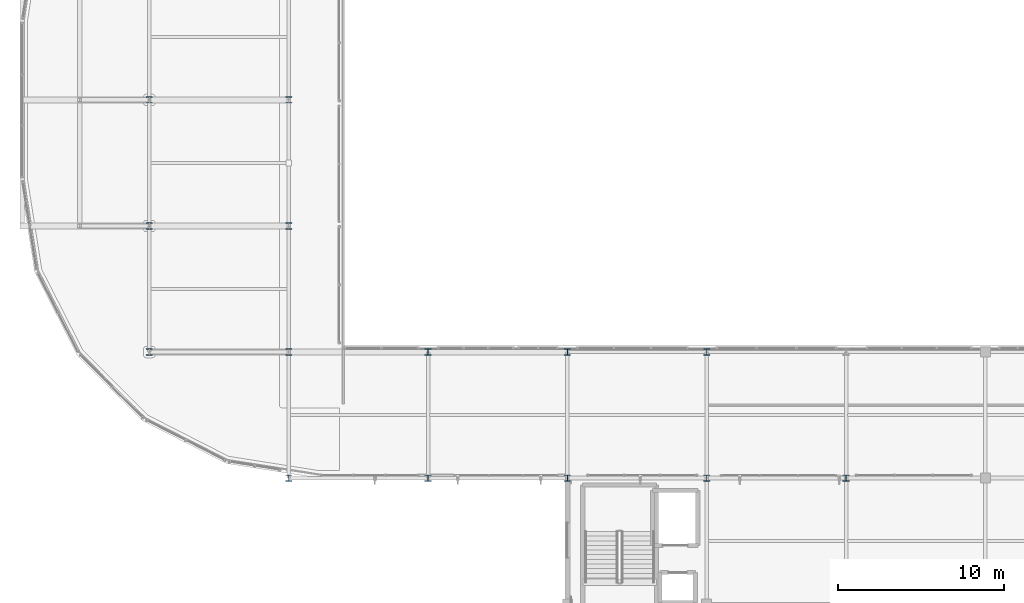
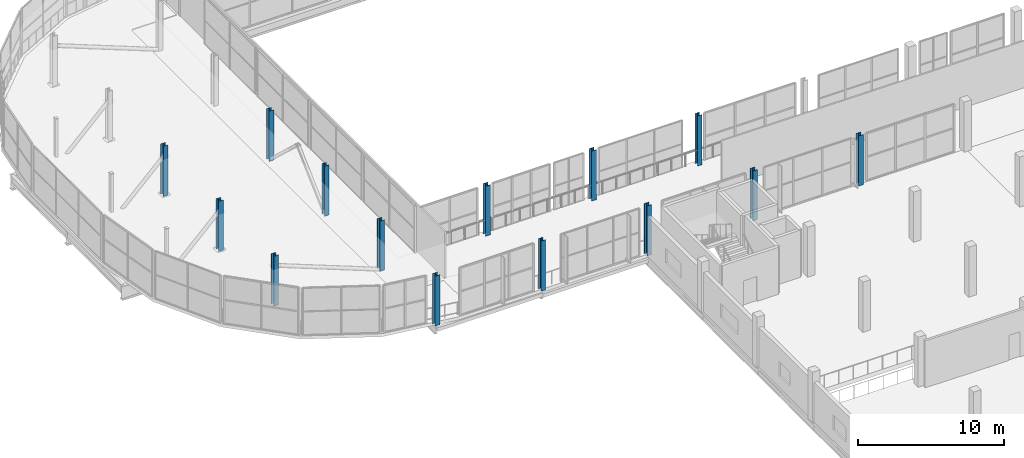
# One storey, part 2 of 217: 14 columns.
"""IFC4 building model written with IfcOpenShell, lengths in metres."""

from ifc_helpers import new_model, si_unit, direction, frame, origin, origin_2d, place, context, subcontext, project, spatial, i_section, extrude, material, material_profile, profile_set, type_object, element, save


model = new_model("IFC4")

# Units and contexts
model_context = context("Model", 3, precision=1e-05, world=origin(), true_north=direction((0.0, 1.0)))
body_context = subcontext(model_context, "Body", "Model", "MODEL_VIEW")
ifc_project = project(units=[si_unit("LENGTHUNIT", "METRE"), si_unit("AREAUNIT", "SQUARE_METRE"), si_unit("VOLUMEUNIT", "CUBIC_METRE"), si_unit("PLANEANGLEUNIT", "RADIAN"), si_unit("MASSUNIT", "GRAM", prefix="KILO")], contexts=[model_context])

# Site, building, storey
site_placement = place(None, origin())
site = spatial("IfcSite", under=ifc_project, at=site_placement, CompositionType="ELEMENT")
building_placement = place(site_placement, origin())
building = spatial("IfcBuilding", under=site, at=building_placement, Name="Zuvorla Pavilion Media Centre", CompositionType="ELEMENT")
storey_placement = place(building_placement, frame((0.0, 0.0, 9.60009765625)))
storey = spatial("IfcBuildingStorey", under=building, at=storey_placement, Name="L02", CompositionType="ELEMENT", Elevation=9.60009765625)

# Columns
ifc_material = material(Name="Steel S355", Category="steel")
ifc_material_profile = material_profile(ifc_material, i_section(OverallWidth=0.37255859375, OverallDepth=0.3681640625, WebThickness=0.014404296875, FlangeThickness=0.023681640625, FilletRadius=0.01513671875, at=origin_2d()), Name="UC 356x368x177")
ifc_profile_set = profile_set([ifc_material_profile], Name="Steel S355")
column_type = type_object("IfcColumnType", Name="COL-UC356", PredefinedType="COLUMN", material=ifc_profile_set)
for number, where, z_axis, x_axis, name in (
    (1, (24.800048828125, 44.0, 0.0), (0.0, 0.0, 1.0), (1.0, 0.0, 0.0), "L02 column C09 482"),
    (2, (33.199951171875, 44.0, 0.0), (0.0, 0.0, 1.0), (1.0, 0.0, 0.0), "L02 column C09 487"),
    (3, (41.60009765625, 44.0, 0.0), (0.0, 0.0, 1.0), (1.0, 0.0, 0.0), "L02 column C09 492"),
    (4, (50.0, 44.0, 0.0), (0.0, 0.0, 1.0), (1.0, 0.0, 0.0), "L02 column C09 498"),
    (5, (58.39990234375, 44.0, 0.0), (0.0, 0.0, 1.0), (1.0, 0.0, 0.0), "L02 column C09 504"),
    (6, (16.39990234375, 51.60009765625, 0.0), (0.0, 0.0, 1.0), (1.0, 0.0, 0.0), "L02 column C09 576"),
    (7, (24.800048828125, 51.60009765625, 0.0), (0.0, 0.0, 1.0), (1.0, 0.0, 0.0), "L02 column C09 581"),
    (8, (33.199951171875, 51.60009765625, 0.0), (0.0, 0.0, 1.0), (1.0, 0.0, 0.0), "L02 column C09 586"),
    (9, (41.60009765625, 51.60009765625, 0.0), (0.0, 0.0, 1.0), (1.0, 0.0, 0.0), "L02 column C09 591"),
    (10, (50.0, 51.60009765625, 0.0), (0.0, 0.0, 1.0), (1.0, 0.0, 0.0), "L02 column C09 596"),
    (11, (16.39990234375, 59.199951171875, 0.0), (0.0, 0.0, 1.0), (1.0, 0.0, 0.0), "L02 column C09 671"),
    (12, (24.800048828125, 59.199951171875, 0.0), (0.0, 0.0, 1.0), (1.0, 0.0, 0.0), "L02 column C09 676"),
    (13, (16.39990234375, 66.800048828125, 0.0), (0.0, 0.0, 1.0), (1.0, 0.0, 0.0), "L02 column C09 697"),
    (14, (24.800048828125, 66.800048828125, 0.0), (0.0, 0.0, 1.0), (1.0, 0.0, 0.0), "L02 column C09 702"),
):
    element("IfcColumn", number, at=place(storey_placement, frame(where, z_axis=z_axis, x_axis=x_axis)), inside=storey, type_object=column_type, Name=name, PredefinedType="COLUMN", context=body_context, shape_type="SweptSolid", body=[
        extrude(i_section(OverallWidth=0.37255859375, OverallDepth=0.3681640625, WebThickness=0.014404296875, FlangeThickness=0.023681640625, FilletRadius=0.01513671875, at=origin_2d()), origin(), (0.0, 0.0, 1.0), 4.199951171875),
    ])

save(model, "model.ifc")
